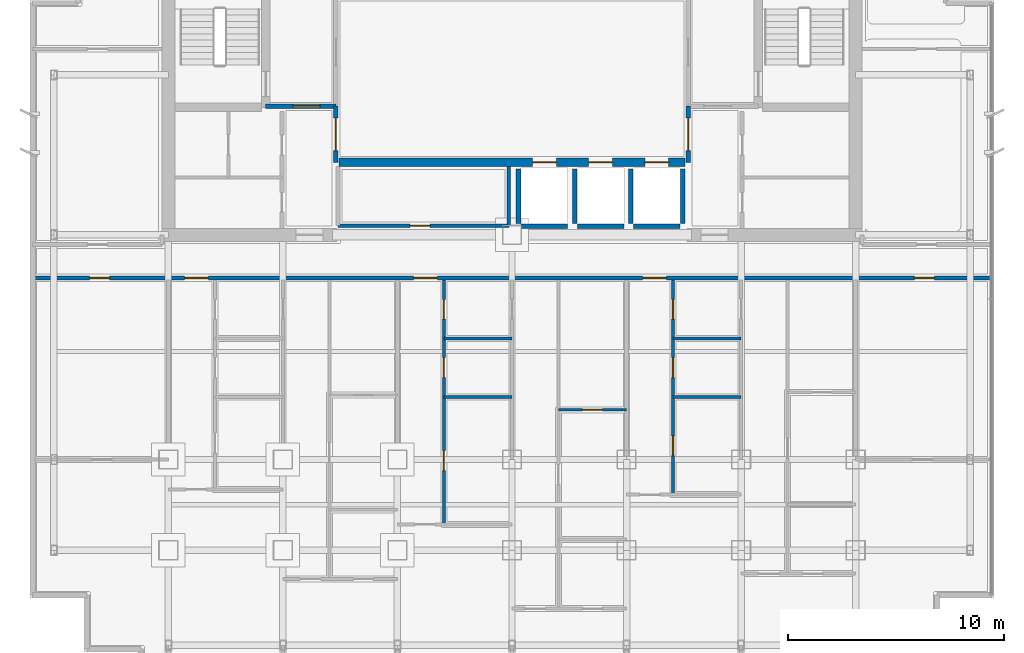
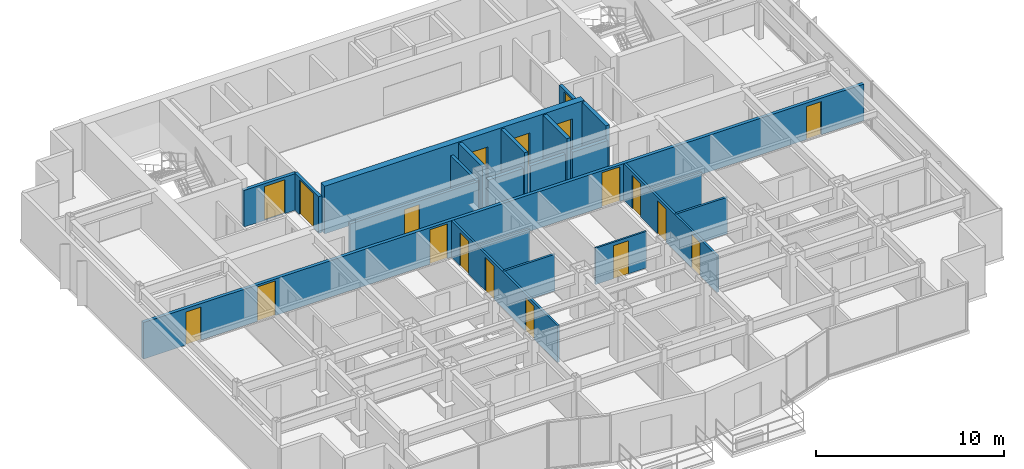
# One storey, part 9 of 13: 21 walls, 19 doors, 19 openings.
"""IFC4 building model written with IfcOpenShell, lengths in metres."""

from ifc_helpers import new_model, si_unit, direction, frame, frame_2d, origin, place, context, subcontext, project, spatial, rectangle, extrude, material, layer, layer_set, type_object, element, fill, save


model = new_model("IFC4")

# Units and contexts
model_context = context("Model", 3, precision=1e-05, world=origin(), true_north=direction((0.0, 1.0)))
body_context = subcontext(model_context, "Body", "Model", "MODEL_VIEW")
ifc_project = project(units=[si_unit("LENGTHUNIT", "METRE"), si_unit("AREAUNIT", "SQUARE_METRE"), si_unit("VOLUMEUNIT", "CUBIC_METRE"), si_unit("PLANEANGLEUNIT", "RADIAN"), si_unit("MASSUNIT", "GRAM", prefix="KILO")], contexts=[model_context])

# Site, building, storey
site_placement = place(None, origin())
site = spatial("IfcSite", under=ifc_project, at=site_placement, CompositionType="ELEMENT")
building_placement = place(site_placement, origin())
building = spatial("IfcBuilding", under=site, at=building_placement, Name="Qianlan Lanfeng Residences", CompositionType="ELEMENT")
storey_placement = place(building_placement, frame((0.0, 0.0, 162.300048828125)))
storey = spatial("IfcBuildingStorey", under=building, at=storey_placement, Name="L44", CompositionType="ELEMENT", Elevation=162.300048828125)

# Wall, openings, doors
ifc_material_1 = material(Name="Concrete C56", Category="concrete")
ifc_layer_1 = layer(ifc_material_1, 0.39990234375)
ifc_layer_set_1 = layer_set([ifc_layer_1], Name="Concrete C56")
wall_type_1 = type_object("IfcWallType", Name="CW-RC-400", PredefinedType="SHEAR", material=ifc_layer_set_1)
wall_1_placement = place(storey_placement, frame((18.5, 28.550048828125, 0.0), z_axis=(0.0, 0.0, 1.0), x_axis=(1.0, 0.0, 0.0)))
wall_1 = element("IfcWall", 1, at=wall_1_placement, inside=storey, type_object=wall_type_1, Name="L44 Core Shear Wall LBS", PredefinedType="SHEAR", context=body_context, shape_type="SweptSolid", body=[
    extrude(rectangle(XDim=16.0, YDim=0.39990234375, at=frame_2d((8.0, 0.0))), origin(), (0.0, 0.0, 1.0), 3.099853515625),
])
opening_1_placement = place(wall_1_placement, frame((8.949951171875, 0.0, 0.0)))
opening_1 = element("IfcOpeningElement", 2, at=opening_1_placement, cuts=wall_1, Name="Opening L44-LD-PL-M1", PredefinedType="OPENING", context=body_context, shape_type="SweptSolid", body=[
    extrude(rectangle(XDim=1.10009765625, YDim=2.14990234375, at=frame_2d((0.550048828125, 1.074951171875))), frame((0.0, 0.2099609375, 0.0), z_axis=(0.0, -1.0, 0.0), x_axis=(1.0, 0.0, 0.0)), (0.0, 0.0, 1.0), 0.419921875),
])
opening_2_placement = place(wall_1_placement, frame((11.550048828125, 0.0, 0.0)))
opening_2 = element("IfcOpeningElement", 3, at=opening_2_placement, cuts=wall_1, Name="Opening L44-LD-PL-M2", PredefinedType="OPENING", context=body_context, shape_type="SweptSolid", body=[
    extrude(rectangle(XDim=1.10009765625, YDim=2.14990234375, at=frame_2d((0.550048828125, 1.074951171875))), frame((0.0, 0.2099609375, 0.0), z_axis=(0.0, -1.0, 0.0), x_axis=(1.0, 0.0, 0.0)), (0.0, 0.0, 1.0), 0.419921875),
])
opening_3_placement = place(wall_1_placement, frame((14.14990234375, 0.0, 0.0)))
opening_3 = element("IfcOpeningElement", 4, at=opening_3_placement, cuts=wall_1, Name="Opening L44-LD-PL-M3", PredefinedType="OPENING", context=body_context, shape_type="SweptSolid", body=[
    extrude(rectangle(XDim=1.10009765625, YDim=2.14990234375, at=frame_2d((0.550048828125, 1.074951171875))), frame((0.0, 0.2099609375, 0.0), z_axis=(0.0, -1.0, 0.0), x_axis=(1.0, 0.0, 0.0)), (0.0, 0.0, 1.0), 0.419921875),
])
ifc_material_2 = material(Name="Brushed Stainless Steel Sliding Lift Door", Category="steel")
door_type_1 = type_object("IfcDoorType", Name="LD-01", OperationType="NOTDEFINED", PredefinedType="DOOR", material=ifc_material_2)
door_1_placement = place(opening_1_placement, origin())
door_1 = element("IfcDoor", 5, at=door_1_placement, inside=storey, type_object=door_type_1, Name="L44 Elevator PL-M1 Sliding Landing Door", OperationType="DOUBLE_DOOR_SLIDING", OverallHeight=2.14990234375, OverallWidth=1.10009765625, PredefinedType="DOOR", context=body_context, shape_type="SweptSolid", body=[
    extrude(rectangle(XDim=1.10009765625, YDim=2.14990234375, at=frame_2d((0.550048828125, 1.074951171875))), frame((0.0, 0.02490234375, 0.0), z_axis=(0.0, -1.0, 0.0), x_axis=(1.0, 0.0, 0.0)), (0.0, 0.0, 1.0), 0.050048828125),
])
fill(opening_1, door_1)
door_2_placement = place(opening_2_placement, origin())
door_2 = element("IfcDoor", 6, at=door_2_placement, inside=storey, type_object=door_type_1, Name="L44 Elevator PL-M2 Sliding Landing Door", OperationType="DOUBLE_DOOR_SLIDING", OverallHeight=2.14990234375, OverallWidth=1.10009765625, PredefinedType="DOOR", context=body_context, shape_type="SweptSolid", body=[
    extrude(rectangle(XDim=1.10009765625, YDim=2.14990234375, at=frame_2d((0.550048828125, 1.074951171875))), frame((0.0, 0.02490234375, 0.0), z_axis=(0.0, -1.0, 0.0), x_axis=(1.0, 0.0, 0.0)), (0.0, 0.0, 1.0), 0.050048828125),
])
fill(opening_2, door_2)
door_3_placement = place(opening_3_placement, origin())
door_3 = element("IfcDoor", 7, at=door_3_placement, inside=storey, type_object=door_type_1, Name="L44 Elevator PL-M3 Sliding Landing Door", OperationType="DOUBLE_DOOR_SLIDING", OverallHeight=2.14990234375, OverallWidth=1.10009765625, PredefinedType="DOOR", context=body_context, shape_type="SweptSolid", body=[
    extrude(rectangle(XDim=1.10009765625, YDim=2.14990234375, at=frame_2d((0.550048828125, 1.074951171875))), frame((0.0, 0.02490234375, 0.0), z_axis=(0.0, -1.0, 0.0), x_axis=(1.0, 0.0, 0.0)), (0.0, 0.0, 1.0), 0.050048828125),
])
fill(opening_3, door_3)

# Wall, opening, door
ifc_material_3 = material(Name="Demountable Acoustic Framing Partition 110 mm")
ifc_layer_2 = layer(ifc_material_3, 0.110107421875)
ifc_layer_set_2 = layer_set([ifc_layer_2], Name="Demountable Acoustic Framing Partition 110 mm")
wall_type_2 = type_object("IfcWallType", Name="PW-110", PredefinedType="MOVABLE", material=ifc_layer_set_2)
wall_2_placement = place(storey_placement, frame((28.64990234375, 17.09912109375, 0.0), z_axis=(0.0, 0.0, 1.0), x_axis=(1.0, 0.0, 0.0)))
wall_2 = element("IfcWall", 8, at=wall_2_placement, inside=storey, type_object=wall_type_2, Name="L44 U02 Wardrobe Split", PredefinedType="MOVABLE", context=body_context, shape_type="SweptSolid", body=[
    extrude(rectangle(XDim=3.150146484375, YDim=0.110107421875, at=frame_2d((1.5751953125, 0.0))), origin(), (0.0, 0.0, 1.0), 2.3798828125),
])
opening_4_placement = place(wall_2_placement, frame((1.114990234375, 0.0, 0.0)))
opening_4 = element("IfcOpeningElement", 9, at=opening_4_placement, cuts=wall_2, Name="Opening L44-D36", PredefinedType="OPENING", context=body_context, shape_type="SweptSolid", body=[
    extrude(rectangle(XDim=0.919921875, YDim=2.14990234375, at=frame_2d((0.4599609375, 1.074951171875))), frame((0.0, 0.06494140625, 0.0), z_axis=(0.0, -1.0, 0.0), x_axis=(1.0, 0.0, 0.0)), (0.0, 0.0, 1.0), 0.130126953125),
])
ifc_material_4 = material(Name="Glazed Timber Kitchen/Study Door", Category="wood")
door_type_2 = type_object("IfcDoorType", Name="DT-INT", OperationType="NOTDEFINED", PredefinedType="DOOR", material=ifc_material_4)
door_4_placement = place(opening_4_placement, origin())
door_4 = element("IfcDoor", 10, at=door_4_placement, inside=storey, type_object=door_type_2, Name="L44 U02 Dressing Inner Door L44-D36 (DT-INT)", OperationType="SINGLE_SWING_LEFT", OverallHeight=2.14990234375, OverallWidth=0.919921875, PredefinedType="DOOR", context=body_context, shape_type="SweptSolid", body=[
    extrude(rectangle(XDim=0.919921875, YDim=2.14990234375, at=frame_2d((0.4599609375, 1.074951171875))), frame((0.0, 0.02490234375, 0.0), z_axis=(0.0, -1.0, 0.0), x_axis=(1.0, 0.0, 0.0)), (0.0, 0.0, 1.0), 0.050048828125),
])
fill(opening_4, door_4)

# Wall, openings, doors
ifc_material_5 = material(Name="Moisture-Resistant Gypsum Partition 135 mm")
ifc_layer_3 = layer(ifc_material_5, 0.135009765625)
ifc_layer_set_3 = layer_set([ifc_layer_3], Name="Moisture-Resistant Gypsum Partition 135 mm")
wall_type_3 = type_object("IfcWallType", Name="PW-135", PredefinedType="PARTITIONING", material=ifc_layer_set_3)
wall_3_placement = place(storey_placement, frame((23.35009765625, 11.799072265625, 0.0), z_axis=(0.0, 0.0, 1.0), x_axis=(0.0, 1.0, 0.0)))
wall_3 = element("IfcWall", 11, at=wall_3_placement, inside=storey, type_object=wall_type_3, Name="L44 U02 Entry Hall Spine", PredefinedType="PARTITIONING", context=body_context, shape_type="SweptSolid", body=[
    extrude(rectangle(XDim=11.301025390625, YDim=0.135009765625, at=frame_2d((5.650390625, 0.0))), origin(), (0.0, 0.0, 1.0), 2.3798828125),
])
opening_5_placement = place(wall_3_placement, frame((2.489990234375, 0.0, 0.0)))
opening_5 = element("IfcOpeningElement", 12, at=opening_5_placement, cuts=wall_3, Name="Opening L44-D30", PredefinedType="OPENING", context=body_context, shape_type="SweptSolid", body=[
    extrude(rectangle(XDim=0.919921875, YDim=2.14990234375, at=frame_2d((0.4599609375, 1.074951171875))), frame((0.0, 0.07763671875, 0.0), z_axis=(0.0, -1.0, 0.0), x_axis=(1.0, 0.0, 0.0)), (0.0, 0.0, 1.0), 0.155029296875),
])
opening_6_placement = place(wall_3_placement, frame((6.791015625, 0.0, 0.0)))
opening_6 = element("IfcOpeningElement", 13, at=opening_6_placement, cuts=wall_3, Name="Opening L44-D31", PredefinedType="OPENING", context=body_context, shape_type="SweptSolid", body=[
    extrude(rectangle(XDim=0.919921875, YDim=2.14990234375, at=frame_2d((0.4599609375, 1.074951171875))), frame((0.0, 0.07763671875, 0.0), z_axis=(0.0, -1.0, 0.0), x_axis=(1.0, 0.0, 0.0)), (0.0, 0.0, 1.0), 0.155029296875),
])
opening_7_placement = place(wall_3_placement, frame((9.5009765625, 0.0, 0.0)))
opening_7 = element("IfcOpeningElement", 14, at=opening_7_placement, cuts=wall_3, Name="Opening L44-D32", PredefinedType="OPENING", context=body_context, shape_type="SweptSolid", body=[
    extrude(rectangle(XDim=0.89990234375, YDim=2.14990234375, at=frame_2d((0.449951171875, 1.074951171875))), frame((0.0, 0.07763671875, 0.0), z_axis=(0.0, -1.0, 0.0), x_axis=(1.0, 0.0, 0.0)), (0.0, 0.0, 1.0), 0.155029296875),
])
door_5_placement = place(opening_5_placement, origin())
door_5 = element("IfcDoor", 15, at=door_5_placement, inside=storey, type_object=door_type_2, Name="L44 U02 Study Door L44-D30 (DT-INT)", OperationType="SINGLE_SWING_LEFT", OverallHeight=2.14990234375, OverallWidth=0.919921875, PredefinedType="DOOR", context=body_context, shape_type="SweptSolid", body=[
    extrude(rectangle(XDim=0.919921875, YDim=2.14990234375, at=frame_2d((0.4599609375, 1.074951171875))), frame((0.0, 0.02490234375, 0.0), z_axis=(0.0, -1.0, 0.0), x_axis=(1.0, 0.0, 0.0)), (0.0, 0.0, 1.0), 0.050048828125),
])
fill(opening_5, door_5)
door_6_placement = place(opening_6_placement, origin())
door_6 = element("IfcDoor", 16, at=door_6_placement, inside=storey, type_object=door_type_2, Name="L44 U02 Kitchen Door L44-D31 (DT-INT)", OperationType="SINGLE_SWING_RIGHT", OverallHeight=2.14990234375, OverallWidth=0.919921875, PredefinedType="DOOR", context=body_context, shape_type="SweptSolid", body=[
    extrude(rectangle(XDim=0.919921875, YDim=2.14990234375, at=frame_2d((0.4599609375, 1.074951171875))), frame((0.0, 0.02490234375, 0.0), z_axis=(0.0, -1.0, 0.0), x_axis=(1.0, 0.0, 0.0)), (0.0, 0.0, 1.0), 0.050048828125),
])
fill(opening_6, door_6)
ifc_material_6 = material(Name="Moisture-Resistant Timber Leaf", Category="wood")
door_type_3 = type_object("IfcDoorType", Name="DT-WC", OperationType="NOTDEFINED", PredefinedType="DOOR", material=ifc_material_6)
door_7_placement = place(opening_7_placement, origin())
door_7 = element("IfcDoor", 17, at=door_7_placement, inside=storey, type_object=door_type_3, Name="L44 U02 Bathroom Door L44-D32 (DT-WC)", OperationType="SINGLE_SWING_LEFT", OverallHeight=2.14990234375, OverallWidth=0.89990234375, PredefinedType="DOOR", context=body_context, shape_type="SweptSolid", body=[
    extrude(rectangle(XDim=0.89990234375, YDim=2.14990234375, at=frame_2d((0.449951171875, 1.074951171875))), frame((0.0, 0.02490234375, 0.0), z_axis=(0.0, -1.0, 0.0), x_axis=(1.0, 0.0, 0.0)), (0.0, 0.0, 1.0), 0.050048828125),
])
fill(opening_7, door_7)

# Walls
for number, where, z_axis, x_axis, name in (
    (18, (23.35009765625, 17.699951171875, 0.0), (0.0, 0.0, 1.0), (1.0, 0.0, 0.0), "L44 U02 Kitchen South Wall"),
    (19, (23.35009765625, 20.39990234375, 0.0), (0.0, 0.0, 1.0), (1.0, 0.0, 0.0), "L44 U02 Bathroom South Wall"),
):
    element("IfcWall", number, at=place(storey_placement, frame(where, z_axis=z_axis, x_axis=x_axis)), inside=storey, type_object=wall_type_3, Name=name, PredefinedType="PARTITIONING", context=body_context, shape_type="SweptSolid", body=[
        extrude(rectangle(XDim=3.14990234375, YDim=0.135009765625, at=frame_2d((1.574951171875, 0.0))), origin(), (0.0, 0.0, 1.0), 2.3798828125),
    ])

# Wall, openings, doors
wall_4_placement = place(storey_placement, frame((33.949951171875, 13.174072265625, 0.0), z_axis=(0.0, 0.0, 1.0), x_axis=(0.0, 1.0, 0.0)))
wall_4 = element("IfcWall", 20, at=wall_4_placement, inside=storey, type_object=wall_type_3, Name="L44 U03 Entry Hall Spine", PredefinedType="PARTITIONING", context=body_context, shape_type="SweptSolid", body=[
    extrude(rectangle(XDim=9.926025390625, YDim=0.135009765625, at=frame_2d((4.962890625, 0.0))), origin(), (0.0, 0.0, 1.0), 2.3798828125),
])
opening_8_placement = place(wall_4_placement, frame((1.802978515625, 0.0, 0.0)))
opening_8 = element("IfcOpeningElement", 21, at=opening_8_placement, cuts=wall_4, Name="Opening L44-D40", PredefinedType="OPENING", context=body_context, shape_type="SweptSolid", body=[
    extrude(rectangle(XDim=0.919921875, YDim=2.14990234375, at=frame_2d((0.4599609375, 1.074951171875))), frame((0.0, 0.07763671875, 0.0), z_axis=(0.0, -1.0, 0.0), x_axis=(1.0, 0.0, 0.0)), (0.0, 0.0, 1.0), 0.155029296875),
])
opening_9_placement = place(wall_4_placement, frame((5.416015625, 0.0, 0.0)))
opening_9 = element("IfcOpeningElement", 22, at=opening_9_placement, cuts=wall_4, Name="Opening L44-D41", PredefinedType="OPENING", context=body_context, shape_type="SweptSolid", body=[
    extrude(rectangle(XDim=0.919921875, YDim=2.14990234375, at=frame_2d((0.4599609375, 1.074951171875))), frame((0.0, 0.07763671875, 0.0), z_axis=(0.0, -1.0, 0.0), x_axis=(1.0, 0.0, 0.0)), (0.0, 0.0, 1.0), 0.155029296875),
])
opening_10_placement = place(wall_4_placement, frame((8.1259765625, 0.0, 0.0)))
opening_10 = element("IfcOpeningElement", 23, at=opening_10_placement, cuts=wall_4, Name="Opening L44-D42", PredefinedType="OPENING", context=body_context, shape_type="SweptSolid", body=[
    extrude(rectangle(XDim=0.89990234375, YDim=2.14990234375, at=frame_2d((0.449951171875, 1.074951171875))), frame((0.0, 0.07763671875, 0.0), z_axis=(0.0, -1.0, 0.0), x_axis=(1.0, 0.0, 0.0)), (0.0, 0.0, 1.0), 0.155029296875),
])
door_8_placement = place(opening_8_placement, origin())
door_8 = element("IfcDoor", 24, at=door_8_placement, inside=storey, type_object=door_type_2, Name="L44 U03 Study Door L44-D40 (DT-INT)", OperationType="SINGLE_SWING_LEFT", OverallHeight=2.14990234375, OverallWidth=0.919921875, PredefinedType="DOOR", context=body_context, shape_type="SweptSolid", body=[
    extrude(rectangle(XDim=0.919921875, YDim=2.14990234375, at=frame_2d((0.4599609375, 1.074951171875))), frame((0.0, 0.02490234375, 0.0), z_axis=(0.0, -1.0, 0.0), x_axis=(1.0, 0.0, 0.0)), (0.0, 0.0, 1.0), 0.050048828125),
])
fill(opening_8, door_8)
door_9_placement = place(opening_9_placement, origin())
door_9 = element("IfcDoor", 25, at=door_9_placement, inside=storey, type_object=door_type_2, Name="L44 U03 Kitchen Door L44-D41 (DT-INT)", OperationType="SINGLE_SWING_RIGHT", OverallHeight=2.14990234375, OverallWidth=0.919921875, PredefinedType="DOOR", context=body_context, shape_type="SweptSolid", body=[
    extrude(rectangle(XDim=0.919921875, YDim=2.14990234375, at=frame_2d((0.4599609375, 1.074951171875))), frame((0.0, 0.02490234375, 0.0), z_axis=(0.0, -1.0, 0.0), x_axis=(1.0, 0.0, 0.0)), (0.0, 0.0, 1.0), 0.050048828125),
])
fill(opening_9, door_9)
door_10_placement = place(opening_10_placement, origin())
door_10 = element("IfcDoor", 26, at=door_10_placement, inside=storey, type_object=door_type_3, Name="L44 U03 Bathroom Door L44-D42 (DT-WC)", OperationType="SINGLE_SWING_LEFT", OverallHeight=2.14990234375, OverallWidth=0.89990234375, PredefinedType="DOOR", context=body_context, shape_type="SweptSolid", body=[
    extrude(rectangle(XDim=0.89990234375, YDim=2.14990234375, at=frame_2d((0.449951171875, 1.074951171875))), frame((0.0, 0.02490234375, 0.0), z_axis=(0.0, -1.0, 0.0), x_axis=(1.0, 0.0, 0.0)), (0.0, 0.0, 1.0), 0.050048828125),
])
fill(opening_10, door_10)

# Walls
for number, where, z_axis, x_axis, name in (
    (27, (33.949951171875, 17.699951171875, 0.0), (0.0, 0.0, 1.0), (1.0, 0.0, 0.0), "L44 U03 Kitchen South Wall"),
    (28, (33.949951171875, 20.39990234375, 0.0), (0.0, 0.0, 1.0), (1.0, 0.0, 0.0), "L44 U03 Bathroom South Wall"),
):
    element("IfcWall", number, at=place(storey_placement, frame(where, z_axis=z_axis, x_axis=x_axis)), inside=storey, type_object=wall_type_3, Name=name, PredefinedType="PARTITIONING", context=body_context, shape_type="SweptSolid", body=[
        extrude(rectangle(XDim=3.150146484375, YDim=0.135009765625, at=frame_2d((1.5751953125, 0.0))), origin(), (0.0, 0.0, 1.0), 2.3798828125),
    ])
ifc_material_7 = material(Name="Double-Layer Acoustic Gypsum Stud Wall 180 mm")
ifc_layer_4 = layer(ifc_material_7, 0.179931640625)
ifc_layer_set_4 = layer_set([ifc_layer_4], Name="Double-Layer Acoustic Gypsum Stud Wall 180 mm")
wall_type_4 = type_object("IfcWallType", Name="PW-180", PredefinedType="PARTITIONING", material=ifc_layer_set_4)
wall_5_placement = place(storey_placement, frame((26.35009765625, 25.6201171875, 0.0), z_axis=(0.0, 0.0, 1.0), x_axis=(0.0, 1.0, 0.0)))
element("IfcWall", 29, at=wall_5_placement, inside=storey, type_object=wall_type_4, Name="L44 Reclaimed Low-Bank Room East Wall", PredefinedType="PARTITIONING", context=body_context, shape_type="SweptSolid", body=[
    extrude(rectangle(XDim=2.72998046875, YDim=0.179931640625, at=frame_2d((1.364990234375, 0.0))), origin(), (0.0, 0.0, 1.0), 2.3798828125),
])

# Wall, opening, door
wall_6_placement = place(storey_placement, frame((18.449951171875, 25.6201171875, 0.0), z_axis=(0.0, 0.0, 1.0), x_axis=(1.0, 0.0, 0.0)))
wall_6 = element("IfcWall", 30, at=wall_6_placement, inside=storey, type_object=wall_type_4, Name="L44 Reclaimed Low-Bank Room South Wall", PredefinedType="PARTITIONING", context=body_context, shape_type="SweptSolid", body=[
    extrude(rectangle(XDim=7.900146484375, YDim=0.179931640625, at=frame_2d((3.9501953125, 0.0))), origin(), (0.0, 0.0, 1.0), 2.3798828125),
])
opening_11_placement = place(wall_6_placement, frame((3.340087890625, 0.0, 0.0)))
opening_11 = element("IfcOpeningElement", 31, at=opening_11_placement, cuts=wall_6, Name="Opening L44-D16", PredefinedType="OPENING", context=body_context, shape_type="SweptSolid", body=[
    extrude(rectangle(XDim=0.919921875, YDim=2.14990234375, at=frame_2d((0.4599609375, 1.074951171875))), frame((0.0, 0.10009765625, 0.0), z_axis=(0.0, -1.0, 0.0), x_axis=(1.0, 0.0, 0.0)), (0.0, 0.0, 1.0), 0.199951171875),
])
door_11_placement = place(opening_11_placement, origin())
door_11 = element("IfcDoor", 32, at=door_11_placement, inside=storey, type_object=door_type_2, Name="L44 Reclaimed Core Salon Door L44-D16 (DT-INT)", OperationType="SINGLE_SWING_LEFT", OverallHeight=2.14990234375, OverallWidth=0.919921875, PredefinedType="DOOR", context=body_context, shape_type="SweptSolid", body=[
    extrude(rectangle(XDim=0.919921875, YDim=2.14990234375, at=frame_2d((0.4599609375, 1.074951171875))), frame((0.0, 0.02490234375, 0.0), z_axis=(0.0, -1.0, 0.0), x_axis=(1.0, 0.0, 0.0)), (0.0, 0.0, 1.0), 0.050048828125),
])
fill(opening_11, door_11)

ifc_material_8 = material(Name="Autoclaved Aerated Concrete Blockwork 200 mm", Category="masonry")
ifc_layer_5 = layer(ifc_material_8, 0.199951171875)
ifc_layer_set_5 = layer_set([ifc_layer_5], Name="Autoclaved Aerated Concrete Blockwork 200 mm")
wall_type_5 = type_object("IfcWallType", Name="PW-200", PredefinedType="PARTITIONING", material=ifc_layer_set_5)
wall_7_placement = place(storey_placement, frame((15.10009765625, 31.14990234375, 0.0), z_axis=(0.0, 0.0, 1.0), x_axis=(1.0, 0.0, 0.0)))
wall_7 = element("IfcWall", 33, at=wall_7_placement, inside=storey, type_object=wall_type_5, Name="L44 Firefighting Lobby 1 South Wall", PredefinedType="PARTITIONING", context=body_context, shape_type="SweptSolid", body=[
    extrude(rectangle(XDim=3.25, YDim=0.199951171875, at=frame_2d((1.625, 0.0))), origin(), (0.0, 0.0, 1.0), 2.3798828125),
])
opening_12_placement = place(wall_7_placement, frame((1.27490234375, 0.0, 0.0)))
opening_12 = element("IfcOpeningElement", 34, at=opening_12_placement, cuts=wall_7, Name="Opening L44-D03", PredefinedType="OPENING", context=body_context, shape_type="SweptSolid", body=[
    extrude(rectangle(XDim=1.25, YDim=2.199951171875, at=frame_2d((0.625, 1.10009765625))), frame((0.0, 0.10986328125, 0.0), z_axis=(0.0, -1.0, 0.0), x_axis=(1.0, 0.0, 0.0)), (0.0, 0.0, 1.0), 0.219970703125),
])
ifc_material_9 = material(Name="Painted Galvanised Steel Fire Door", Category="steel")
door_type_4 = type_object("IfcDoorType", Name="DT-FFL", OperationType="NOTDEFINED", PredefinedType="DOOR", material=ifc_material_9)
door_12_placement = place(opening_12_placement, origin())
door_12 = element("IfcDoor", 35, at=door_12_placement, inside=storey, type_object=door_type_4, Name="L44 Firefighting Lobby 1 Entry Door L44-D03 (DT-FFL)", OperationType="SINGLE_SWING_LEFT", OverallHeight=2.199951171875, OverallWidth=1.25, PredefinedType="DOOR", context=body_context, shape_type="SweptSolid", body=[
    extrude(rectangle(XDim=1.25, YDim=2.199951171875, at=frame_2d((0.625, 1.10009765625))), frame((0.0, 0.02490234375, 0.0), z_axis=(0.0, -1.0, 0.0), x_axis=(1.0, 0.0, 0.0)), (0.0, 0.0, 1.0), 0.050048828125),
])
fill(opening_12, door_12)

wall_8_placement = place(storey_placement, frame((18.35009765625, 28.550048828125, 0.0), z_axis=(0.0, 0.0, 1.0), x_axis=(0.0, 1.0, 0.0)))
wall_8 = element("IfcWall", 36, at=wall_8_placement, inside=storey, type_object=wall_type_5, Name="L44 Lift Lobby West Connector Wall", PredefinedType="PARTITIONING", context=body_context, shape_type="SweptSolid", body=[
    extrude(rectangle(XDim=2.599853515625, YDim=0.199951171875, at=frame_2d((1.2998046875, 0.0))), origin(), (0.0, 0.0, 1.0), 2.3798828125),
])
opening_13_placement = place(wall_8_placement, frame((0.550048828125, 0.0, 0.0)))
opening_13 = element("IfcOpeningElement", 37, at=opening_13_placement, cuts=wall_8, Name="Opening L44-D14", PredefinedType="OPENING", context=body_context, shape_type="SweptSolid", body=[
    extrude(rectangle(XDim=1.5, YDim=2.25, at=frame_2d((0.75, 1.125))), frame((0.0, 0.10986328125, 0.0), z_axis=(0.0, -1.0, 0.0), x_axis=(1.0, 0.0, 0.0)), (0.0, 0.0, 1.0), 0.219970703125),
])
ifc_material_10 = material(Name="Timber Veneer Acoustic Fire Door", Category="wood")
door_type_5 = type_object("IfcDoorType", Name="DT-COR1", OperationType="NOTDEFINED", PredefinedType="DOOR", material=ifc_material_10)
door_13_placement = place(opening_13_placement, origin())
door_13 = element("IfcDoor", 38, at=door_13_placement, inside=storey, type_object=door_type_5, Name="L44 Lift Lobby West Portal Door L44-D14 (DT-COR1)", OperationType="DOUBLE_DOOR_SINGLE_SWING", OverallHeight=2.25, OverallWidth=1.5, PredefinedType="DOOR", context=body_context, shape_type="SweptSolid", body=[
    extrude(rectangle(XDim=1.5, YDim=2.25, at=frame_2d((0.75, 1.125))), frame((0.0, 0.02490234375, 0.0), z_axis=(0.0, -1.0, 0.0), x_axis=(1.0, 0.0, 0.0)), (0.0, 0.0, 1.0), 0.050048828125),
])
fill(opening_13, door_13)

wall_9_placement = place(storey_placement, frame((34.64990234375, 28.550048828125, 0.0), z_axis=(0.0, 0.0, 1.0), x_axis=(0.0, 1.0, 0.0)))
wall_9 = element("IfcWall", 39, at=wall_9_placement, inside=storey, type_object=wall_type_5, Name="L44 Lift Lobby East Connector Wall", PredefinedType="PARTITIONING", context=body_context, shape_type="SweptSolid", body=[
    extrude(rectangle(XDim=2.599853515625, YDim=0.199951171875, at=frame_2d((1.2998046875, 0.0))), origin(), (0.0, 0.0, 1.0), 2.3798828125),
])
opening_14_placement = place(wall_9_placement, frame((0.550048828125, 0.0, 0.0)))
opening_14 = element("IfcOpeningElement", 40, at=opening_14_placement, cuts=wall_9, Name="Opening L44-D15", PredefinedType="OPENING", context=body_context, shape_type="SweptSolid", body=[
    extrude(rectangle(XDim=1.5, YDim=2.25, at=frame_2d((0.75, 1.125))), frame((0.0, 0.10986328125, 0.0), z_axis=(0.0, -1.0, 0.0), x_axis=(1.0, 0.0, 0.0)), (0.0, 0.0, 1.0), 0.219970703125),
])
door_14_placement = place(opening_14_placement, frame((1.5, 0.0, 0.0), z_axis=(0.0, 0.0, 1.0), x_axis=(-1.0, 0.0, 0.0)))
door_14 = element("IfcDoor", 41, at=door_14_placement, inside=storey, type_object=door_type_5, Name="L44 Lift Lobby East Portal Door L44-D15 (DT-COR1)", OperationType="DOUBLE_DOOR_SINGLE_SWING", OverallHeight=2.25, OverallWidth=1.5, PredefinedType="DOOR", context=body_context, shape_type="SweptSolid", body=[
    extrude(rectangle(XDim=1.5, YDim=2.25, at=frame_2d((0.75, 1.125))), frame((0.0, 0.02490234375, 0.0), z_axis=(0.0, -1.0, 0.0), x_axis=(1.0, 0.0, 0.0)), (0.0, 0.0, 1.0), 0.050048828125),
])
fill(opening_14, door_14)

# Wall, openings, doors
wall_10_placement = place(storey_placement, frame((4.320068359375, 23.199951171875, 0.0), z_axis=(0.0, 0.0, 1.0), x_axis=(1.0, 0.0, 0.0)))
wall_10 = element("IfcWall", 42, at=wall_10_placement, inside=storey, type_object=wall_type_5, Name="L44 Residential Corridor South Fire Wall", PredefinedType="PARTITIONING", context=body_context, shape_type="SweptSolid", body=[
    extrude(rectangle(XDim=44.35986328125, YDim=0.199951171875, at=frame_2d((22.179931640625, 0.0))), origin(), (0.0, 0.0, 1.0), 2.3798828125),
])
opening_15_placement = place(wall_10_placement, frame((7.030029296875, 0.0, 0.0)))
opening_15 = element("IfcOpeningElement", 43, at=opening_15_placement, cuts=wall_10, Name="Opening L44-D17", PredefinedType="OPENING", context=body_context, shape_type="SweptSolid", body=[
    extrude(rectangle(XDim=1.10009765625, YDim=2.25, at=frame_2d((0.550048828125, 1.125))), frame((0.0, 0.10986328125, 0.0), z_axis=(0.0, -1.0, 0.0), x_axis=(1.0, 0.0, 0.0)), (0.0, 0.0, 1.0), 0.219970703125),
])
opening_16_placement = place(wall_10_placement, frame((17.6298828125, 0.0, 0.0)))
opening_16 = element("IfcOpeningElement", 44, at=opening_16_placement, cuts=wall_10, Name="Opening L44-D27", PredefinedType="OPENING", context=body_context, shape_type="SweptSolid", body=[
    extrude(rectangle(XDim=1.10009765625, YDim=2.25, at=frame_2d((0.550048828125, 1.125))), frame((0.0, 0.10986328125, 0.0), z_axis=(0.0, -1.0, 0.0), x_axis=(1.0, 0.0, 0.0)), (0.0, 0.0, 1.0), 0.219970703125),
])
opening_17_placement = place(wall_10_placement, frame((28.22998046875, 0.0, 0.0)))
opening_17 = element("IfcOpeningElement", 45, at=opening_17_placement, cuts=wall_10, Name="Opening L44-D37", PredefinedType="OPENING", context=body_context, shape_type="SweptSolid", body=[
    extrude(rectangle(XDim=1.10009765625, YDim=2.25, at=frame_2d((0.550048828125, 1.125))), frame((0.0, 0.10986328125, 0.0), z_axis=(0.0, -1.0, 0.0), x_axis=(1.0, 0.0, 0.0)), (0.0, 0.0, 1.0), 0.219970703125),
])
opening_18_placement = place(wall_10_placement, frame((2.635009765625, 0.0, 0.0)))
opening_18 = element("IfcOpeningElement", 46, at=opening_18_placement, cuts=wall_10, Name="Opening L44-D48", PredefinedType="OPENING", context=body_context, shape_type="SweptSolid", body=[
    extrude(rectangle(XDim=0.919921875, YDim=2.14990234375, at=frame_2d((0.4599609375, 1.074951171875))), frame((0.0, 0.10986328125, 0.0), z_axis=(0.0, -1.0, 0.0), x_axis=(1.0, 0.0, 0.0)), (0.0, 0.0, 1.0), 0.219970703125),
])
opening_19_placement = place(wall_10_placement, frame((40.804931640625, 0.0, 0.0)))
opening_19 = element("IfcOpeningElement", 47, at=opening_19_placement, cuts=wall_10, Name="Opening L44-D50", PredefinedType="OPENING", context=body_context, shape_type="SweptSolid", body=[
    extrude(rectangle(XDim=0.919921875, YDim=2.14990234375, at=frame_2d((0.4599609375, 1.074951171875))), frame((0.0, 0.10986328125, 0.0), z_axis=(0.0, -1.0, 0.0), x_axis=(1.0, 0.0, 0.0)), (0.0, 0.0, 1.0), 0.219970703125),
])
door_15_placement = place(opening_18_placement, origin())
door_15 = element("IfcDoor", 48, at=door_15_placement, inside=storey, type_object=door_type_2, Name="L44 SWP Corridor Door L44-D48 (DT-INT)", OperationType="SINGLE_SWING_LEFT", OverallHeight=2.14990234375, OverallWidth=0.919921875, PredefinedType="DOOR", context=body_context, shape_type="SweptSolid", body=[
    extrude(rectangle(XDim=0.919921875, YDim=2.14990234375, at=frame_2d((0.4599609375, 1.074951171875))), frame((0.0, 0.02490234375, 0.0), z_axis=(0.0, -1.0, 0.0), x_axis=(1.0, 0.0, 0.0)), (0.0, 0.0, 1.0), 0.050048828125),
])
fill(opening_18, door_15)
door_16_placement = place(opening_19_placement, origin())
door_16 = element("IfcDoor", 49, at=door_16_placement, inside=storey, type_object=door_type_2, Name="L44 SEP Corridor Door L44-D50 (DT-INT)", OperationType="SINGLE_SWING_LEFT", OverallHeight=2.14990234375, OverallWidth=0.919921875, PredefinedType="DOOR", context=body_context, shape_type="SweptSolid", body=[
    extrude(rectangle(XDim=0.919921875, YDim=2.14990234375, at=frame_2d((0.4599609375, 1.074951171875))), frame((0.0, 0.02490234375, 0.0), z_axis=(0.0, -1.0, 0.0), x_axis=(1.0, 0.0, 0.0)), (0.0, 0.0, 1.0), 0.050048828125),
])
fill(opening_19, door_16)
ifc_material_11 = material(Name="Solid-Core Oak Veneer Fire Door")
door_type_6 = type_object("IfcDoorType", Name="DT-UNIT", OperationType="NOTDEFINED", PredefinedType="DOOR", material=ifc_material_11)
door_17_placement = place(opening_15_placement, origin())
door_17 = element("IfcDoor", 50, at=door_17_placement, inside=storey, type_object=door_type_6, Name="L44 Apartment U01 Entrance Door L44-D17 (DT-UNIT)", OperationType="SINGLE_SWING_RIGHT", OverallHeight=2.25, OverallWidth=1.10009765625, PredefinedType="DOOR", context=body_context, shape_type="SweptSolid", body=[
    extrude(rectangle(XDim=1.10009765625, YDim=2.25, at=frame_2d((0.550048828125, 1.125))), frame((0.0, 0.02490234375, 0.0), z_axis=(0.0, -1.0, 0.0), x_axis=(1.0, 0.0, 0.0)), (0.0, 0.0, 1.0), 0.050048828125),
])
fill(opening_15, door_17)
door_18_placement = place(opening_16_placement, origin())
door_18 = element("IfcDoor", 51, at=door_18_placement, inside=storey, type_object=door_type_6, Name="L44 Apartment U02 Entrance Door L44-D27 (DT-UNIT)", OperationType="SINGLE_SWING_RIGHT", OverallHeight=2.25, OverallWidth=1.10009765625, PredefinedType="DOOR", context=body_context, shape_type="SweptSolid", body=[
    extrude(rectangle(XDim=1.10009765625, YDim=2.25, at=frame_2d((0.550048828125, 1.125))), frame((0.0, 0.02490234375, 0.0), z_axis=(0.0, -1.0, 0.0), x_axis=(1.0, 0.0, 0.0)), (0.0, 0.0, 1.0), 0.050048828125),
])
fill(opening_16, door_18)
door_19_placement = place(opening_17_placement, origin())
door_19 = element("IfcDoor", 52, at=door_19_placement, inside=storey, type_object=door_type_6, Name="L44 Apartment U03 Entrance Door L44-D37 (DT-UNIT)", OperationType="SINGLE_SWING_RIGHT", OverallHeight=2.25, OverallWidth=1.10009765625, PredefinedType="DOOR", context=body_context, shape_type="SweptSolid", body=[
    extrude(rectangle(XDim=1.10009765625, YDim=2.25, at=frame_2d((0.550048828125, 1.125))), frame((0.0, 0.02490234375, 0.0), z_axis=(0.0, -1.0, 0.0), x_axis=(1.0, 0.0, 0.0)), (0.0, 0.0, 1.0), 0.050048828125),
])
fill(opening_17, door_19)

# Walls
ifc_material_12 = material(Name="Concrete C49", Category="concrete")
ifc_layer_6 = layer(ifc_material_12, 0.219970703125)
ifc_layer_set_6 = layer_set([ifc_layer_6], Name="Concrete C49")
wall_type_6 = type_object("IfcWallType", Name="SHW-220", PredefinedType="SOLIDWALL", material=ifc_layer_set_6)
wall_11_placement = place(storey_placement, frame((26.800048828125, 25.719970703125, 0.0), z_axis=(0.0, 0.0, 1.0), x_axis=(0.0, 1.0, 0.0)))
element("IfcWall", 53, at=wall_11_placement, inside=storey, type_object=wall_type_6, Name="L44 Lift PL-M1 Shaft Wall W", PredefinedType="SOLIDWALL", context=body_context, shape_type="SweptSolid", body=[
    extrude(rectangle(XDim=2.530029296875, YDim=0.219970703125, at=frame_2d((1.26513671875, 0.0))), origin(), (0.0, 0.0, 1.0), 3.099853515625),
])
wall_12_placement = place(storey_placement, frame((26.919921875, 25.60009765625, 0.0), z_axis=(0.0, 0.0, 1.0), x_axis=(1.0, 0.0, 0.0)))
element("IfcWall", 54, at=wall_12_placement, inside=storey, type_object=wall_type_6, Name="L44 Lift PL-M1 Shaft Back Wall S", PredefinedType="SOLIDWALL", context=body_context, shape_type="SweptSolid", body=[
    extrude(rectangle(XDim=2.16015625, YDim=0.219970703125, at=frame_2d((1.080078125, 0.0))), origin(), (0.0, 0.0, 1.0), 2.294921875),
])
wall_13_placement = place(storey_placement, frame((29.39990234375, 25.719970703125, 0.0), z_axis=(0.0, 0.0, 1.0), x_axis=(0.0, 1.0, 0.0)))
element("IfcWall", 55, at=wall_13_placement, inside=storey, type_object=wall_type_6, Name="L44 Lift PL-M2 Shaft Wall W", PredefinedType="SOLIDWALL", context=body_context, shape_type="SweptSolid", body=[
    extrude(rectangle(XDim=2.530029296875, YDim=0.219970703125, at=frame_2d((1.26513671875, 0.0))), origin(), (0.0, 0.0, 1.0), 3.099853515625),
])
wall_14_placement = place(storey_placement, frame((29.52001953125, 25.60009765625, 0.0), z_axis=(0.0, 0.0, 1.0), x_axis=(1.0, 0.0, 0.0)))
element("IfcWall", 56, at=wall_14_placement, inside=storey, type_object=wall_type_6, Name="L44 Lift PL-M2 Shaft Back Wall S", PredefinedType="SOLIDWALL", context=body_context, shape_type="SweptSolid", body=[
    extrude(rectangle(XDim=2.159912109375, YDim=0.219970703125, at=frame_2d((1.080078125, 0.0))), origin(), (0.0, 0.0, 1.0), 2.294921875),
])
for number, where, z_axis, x_axis, name in (
    (57, (32.0, 25.719970703125, 0.0), (0.0, 0.0, 1.0), (0.0, 1.0, 0.0), "L44 Lift PL-M3 Shaft Wall W"),
    (58, (34.39990234375, 25.719970703125, 0.0), (0.0, 0.0, 1.0), (0.0, 1.0, 0.0), "L44 Lift PL-M3 Shaft Wall E"),
):
    element("IfcWall", number, at=place(storey_placement, frame(where, z_axis=z_axis, x_axis=x_axis)), inside=storey, type_object=wall_type_6, Name=name, PredefinedType="SOLIDWALL", context=body_context, shape_type="SweptSolid", body=[
        extrude(rectangle(XDim=2.530029296875, YDim=0.219970703125, at=frame_2d((1.26513671875, 0.0))), origin(), (0.0, 0.0, 1.0), 3.099853515625),
    ])
wall_15_placement = place(storey_placement, frame((32.1201171875, 25.60009765625, 0.0), z_axis=(0.0, 0.0, 1.0), x_axis=(1.0, 0.0, 0.0)))
element("IfcWall", 59, at=wall_15_placement, inside=storey, type_object=wall_type_6, Name="L44 Lift PL-M3 Shaft Back Wall S", PredefinedType="SOLIDWALL", context=body_context, shape_type="SweptSolid", body=[
    extrude(rectangle(XDim=2.159912109375, YDim=0.219970703125, at=frame_2d((1.080078125, 0.0))), origin(), (0.0, 0.0, 1.0), 2.294921875),
])

save(model, "model.ifc")
